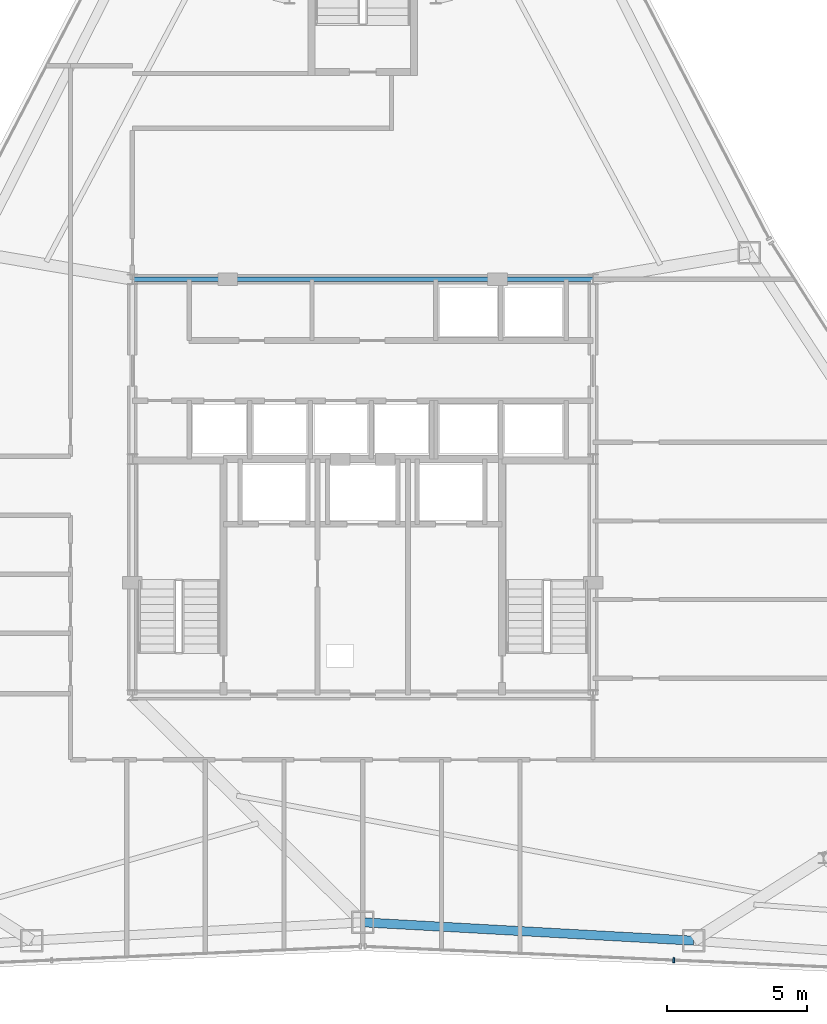
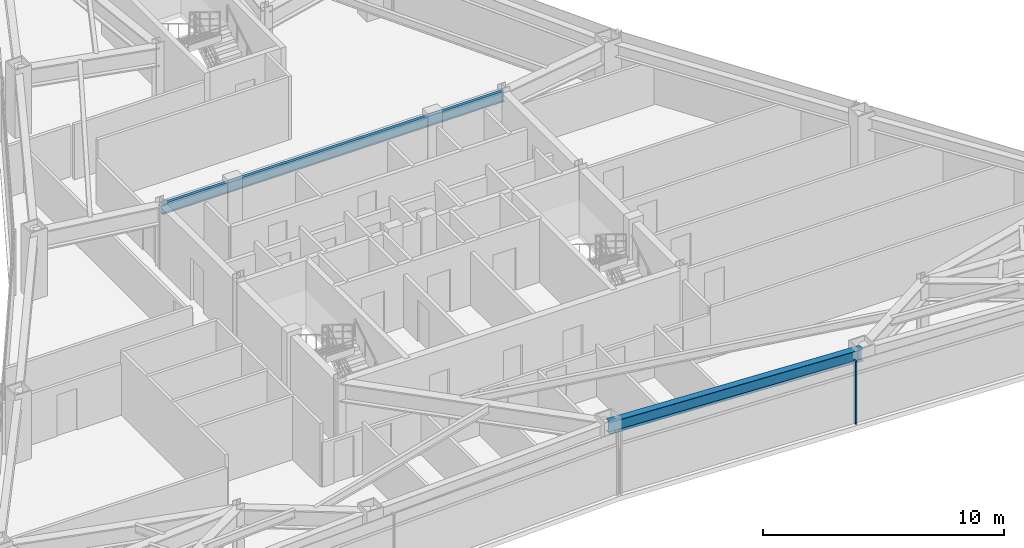
# One storey, part 6 of 13: 2 beams, 1 member, 1 element without a shape of its own.
"""IFC4 building model written with IfcOpenShell, lengths in metres."""

from ifc_helpers import new_model, si_unit, direction, frame, origin, origin_2d, place, context, subcontext, project, spatial, rectangle, i_section, extrude, source, transform, mapped, material, layer, layer_set, material_profile, profile_set, type_object, type_shapes, element, aggregate, save


model = new_model("IFC4")

# Units and contexts
model_context = context("Model", 3, precision=1e-05, world=origin(), true_north=direction((0.0, 1.0)))
body_context = subcontext(model_context, "Body", "Model", "MODEL_VIEW")
ifc_project = project(units=[si_unit("LENGTHUNIT", "METRE"), si_unit("AREAUNIT", "SQUARE_METRE"), si_unit("VOLUMEUNIT", "CUBIC_METRE"), si_unit("PLANEANGLEUNIT", "RADIAN"), si_unit("MASSUNIT", "GRAM", prefix="KILO")], contexts=[model_context])

# Site, building, storey
site_placement = place(None, origin())
site = spatial("IfcSite", under=ifc_project, at=site_placement, CompositionType="ELEMENT")
building_placement = place(site_placement, origin())
building = spatial("IfcBuilding", under=site, at=building_placement, Name="Varakhsha Concourse Tower", CompositionType="ELEMENT")
storey_placement = place(building_placement, frame((0.0, 0.0, 186.14990234375)))
storey = spatial("IfcBuildingStorey", under=building, at=storey_placement, Name="L53", CompositionType="ELEMENT", Elevation=186.14990234375)

# Beams
ifc_material_1 = material(Name="Structural Steel ASTM A992 Grade 50", Category="steel")
ifc_material_profile_1 = material_profile(ifc_material_1, i_section(OverallWidth=0.1669921875, OverallDepth=0.534912109375, WebThickness=0.010009765625, FlangeThickness=0.01708984375, at=origin_2d()), Name="W21X57")
ifc_profile_set_1 = profile_set([ifc_material_profile_1], Name="Structural Steel ASTM A992 Grade 50")
beam_type_1 = type_object("IfcBeamType", Name="BM-RAD-W21X57", PredefinedType="BEAM", material=ifc_profile_set_1)
beam_1_placement = place(storey_placement, frame((31.800048828125, 31.199951171875, 2.942626953125), z_axis=(1.0, 0.0, 0.0), x_axis=(0.0, 1.0, 0.0)))
element("IfcBeam", 1, at=beam_1_placement, inside=storey, type_object=beam_type_1, Name="BM-TCORE-L53-CN", PredefinedType="BEAM", context=body_context, shape_type="SweptSolid", body=[
    extrude(i_section(OverallWidth=0.1669921875, OverallDepth=0.534912109375, WebThickness=0.010009765625, FlangeThickness=0.01708984375, at=origin_2d()), origin(), (0.0, 0.0, 1.0), 16.39990234375),
])
ifc_material_profile_2 = material_profile(ifc_material_1, i_section(OverallWidth=0.323974609375, OverallDepth=0.611083984375, WebThickness=0.012939453125, FlangeThickness=0.01904296875, at=origin_2d()), Name="W24X104")
ifc_profile_set_2 = profile_set([ifc_material_profile_2], Name="Structural Steel ASTM A992 Grade 50")
beam_type_2 = type_object("IfcBeamType", Name="BM-SPAN-W24X104", PredefinedType="SPANDREL", material=ifc_profile_set_2)
beam_2_placement = place(storey_placement, frame((40.0, 8.3125, 2.904541015625), z_axis=(0.998465571879, -0.055376003582, 0.0), x_axis=(0.055376003582, 0.998465571879, 0.0)))
element("IfcBeam", 2, at=beam_2_placement, inside=storey, type_object=beam_type_2, Name="BM-SPAN-L53-11", PredefinedType="SPANDREL", context=body_context, shape_type="SweptSolid", body=[
    extrude(i_section(OverallWidth=0.323974609375, OverallDepth=0.611083984375, WebThickness=0.012939453125, FlangeThickness=0.01904296875, at=origin_2d()), origin(), (0.0, 0.0, 1.0), 11.79345703125),
])

# Curtain wall, member
ifc_material_2 = material(Name="Anodised Bronze Architectural Aluminium AA 6063-T6", Category="aluminium")
ifc_layer = layer(ifc_material_2, 0.2099609375, Name="CW-SYS-04")
ifc_layer_set = layer_set([ifc_layer], Name="Anodised Bronze Architectural Aluminium AA 6063-T6")
curtain_wall_type = type_object("IfcCurtainWallType", Name="CW-SYS-04", PredefinedType="NOTDEFINED", material=ifc_layer_set)
curtain_wall_placement = place(storey_placement, origin())
curtain_wall = element("IfcCurtainWall", 3, at=curtain_wall_placement, inside=storey, type_object=curtain_wall_type, Name="L53 Crystal Curtain Wall F6", PredefinedType="NOTDEFINED")
ifc_material_profile_3 = material_profile(ifc_material_2, rectangle(XDim=0.06494140625, YDim=0.179931640625, at=origin_2d()), Name="CWM-180X65")
ifc_profile_set_3 = profile_set([ifc_material_profile_3], Name="Anodised Bronze Architectural Aluminium AA 6063-T6")
member_type = type_object("IfcMemberType", Name="CWM-180X65", PredefinedType="MULLION", material=ifc_profile_set_3)
shared_shape = source(origin(), body_context, "Body", "SweptSolid", [
    extrude(rectangle(XDim=0.06494140625, YDim=0.179931640625, at=origin_2d()), origin(), (0.0, 0.0, 1.0), 3.210205078125),
])
type_shapes(member_type, [shared_shape])
member_placement = place(storey_placement, frame((51.07421875, 6.9697265625, 0.0), z_axis=(0.0, 0.0, 1.0), x_axis=(-0.999018917807, 0.04428545883, 0.0)))
member = element("IfcMember", 4, at=member_placement, type_object=member_type, Name="CW-L53-F6 Mullion 01", PredefinedType="MULLION", context=body_context, shape_type="MappedRepresentation", body=[
    mapped(shared_shape, transform((0.0, 0.0, 0.0), scale=1.0)),
])
aggregate(curtain_wall, [member])

save(model, "model.ifc")
